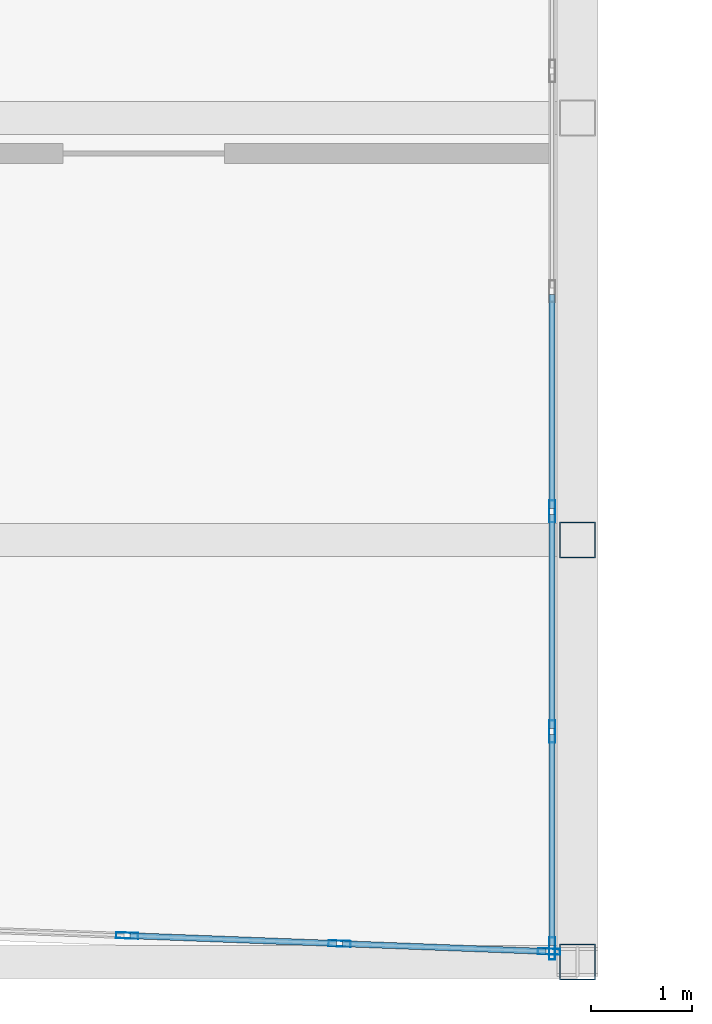
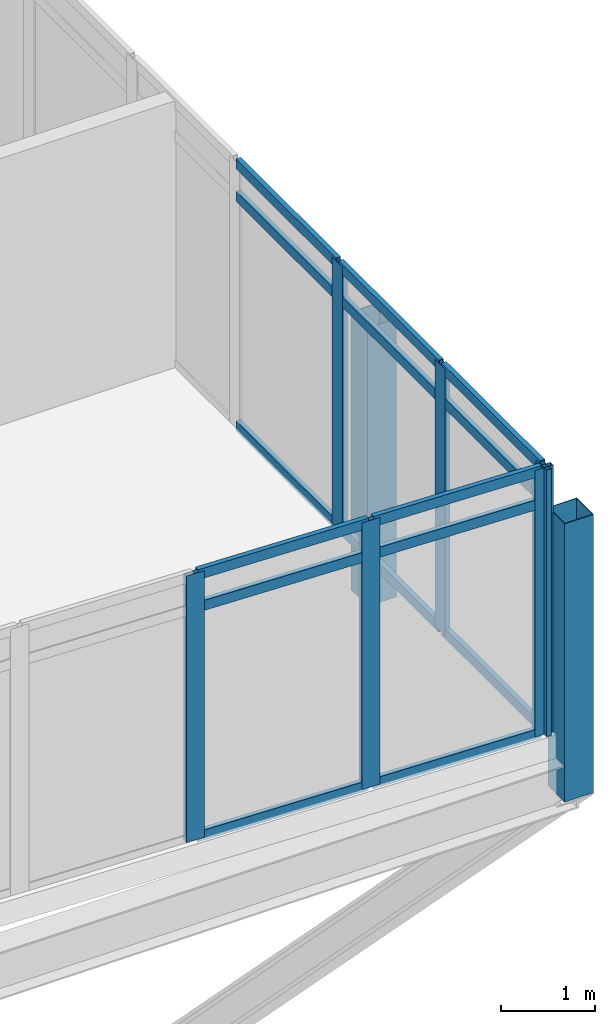
# One storey, part 8 of 34: 23 members, 2 elements without a shape of their own.
"""IFC4 building model written with IfcOpenShell, lengths in metres."""

from ifc_helpers import new_model, si_unit, direction, frame, origin, origin_2d, place, context, subcontext, project, spatial, hollow_rectangle, extrude, material, material_profile, profile_set, type_object, element, aggregate, save


model = new_model("IFC4")

# Units and contexts
model_context = context("Model", 3, precision=1e-05, world=origin(), true_north=direction((0.0, 1.0)))
body_context = subcontext(model_context, "Body", "Model", "MODEL_VIEW")
ifc_project = project(units=[si_unit("LENGTHUNIT", "METRE"), si_unit("AREAUNIT", "SQUARE_METRE"), si_unit("VOLUMEUNIT", "CUBIC_METRE"), si_unit("PLANEANGLEUNIT", "RADIAN"), si_unit("MASSUNIT", "GRAM", prefix="KILO")], contexts=[model_context])

# Site, building, storey
site_placement = place(None, origin())
site = spatial("IfcSite", under=ifc_project, at=site_placement, CompositionType="ELEMENT")
building_placement = place(site_placement, origin())
building = spatial("IfcBuilding", under=site, at=building_placement, Name="Ostrander Bayou Hotel Tower", CompositionType="ELEMENT")
storey_placement = place(building_placement, frame((0.0, 0.0, 222.0)))
storey = spatial("IfcBuildingStorey", under=building, at=storey_placement, Name="L55", CompositionType="ELEMENT", Elevation=222.0)

# Curtain wall, members
ifc_material_1 = material(Name="Aluminium and clear glass", Category="aluminium")
curtain_wall_type = type_object("IfcCurtainWallType", Name="CW-BAR glazed wall", PredefinedType="NOTDEFINED", material=ifc_material_1)
curtain_wall_1_placement = place(storey_placement, origin())
curtain_wall_1 = element("IfcCurtainWall", 1, at=curtain_wall_1_placement, inside=storey, type_object=curtain_wall_type, Name="CW-BAR L55:SB5S:T", PredefinedType="NOTDEFINED")
ifc_material_2 = material(Name="Aluminium", Category="aluminium")
ifc_material_profile_1 = material_profile(ifc_material_2, hollow_rectangle(XDim=0.06005859375, YDim=0.219970703125, WallThickness=0.00390625, at=origin_2d()))
ifc_profile_set_1 = profile_set([ifc_material_profile_1], Name="Aluminium")
member_type_1 = type_object("IfcMemberType", Name="CW-BR mullion 60 x 220 mm", PredefinedType="MULLION", material=ifc_profile_set_1)
member_1_placement = place(storey_placement, frame((6.307373046875, -29.23828125, 0.0), z_axis=(0.0, 0.0, 1.0), x_axis=(0.037757725854, 0.99928692283, 0.0)))
member_1 = element("IfcMember", 2, at=member_1_placement, type_object=member_type_1, Name="CW-BAR mullion 9", PredefinedType="MULLION", context=body_context, shape_type="SweptSolid", body=[
    extrude(hollow_rectangle(XDim=0.06005859375, YDim=0.219970703125, WallThickness=0.00390625, at=origin_2d()), origin(), (0.0, 0.0, 1.0), 3.449951171875),
])
member_2_placement = place(storey_placement, frame((8.40966796875, -29.31787109375, 0.0), z_axis=(0.0, 0.0, 1.0), x_axis=(0.037757725854, 0.99928692283, 0.0)))
member_2 = element("IfcMember", 3, at=member_2_placement, type_object=member_type_1, Name="CW-BAR mullion 10", PredefinedType="MULLION", context=body_context, shape_type="SweptSolid", body=[
    extrude(hollow_rectangle(XDim=0.06005859375, YDim=0.219970703125, WallThickness=0.00390625, at=origin_2d()), origin(), (0.0, 0.0, 1.0), 3.449951171875),
])
member_3_placement = place(storey_placement, frame((10.482177734375, -29.39599609375, 0.0), z_axis=(0.0, 0.0, 1.0), x_axis=(0.037757725854, 0.99928692283, 0.0)))
member_3 = element("IfcMember", 4, at=member_3_placement, type_object=member_type_1, Name="CW-BAR mullion 11", PredefinedType="MULLION", context=body_context, shape_type="SweptSolid", body=[
    extrude(hollow_rectangle(XDim=0.06005859375, YDim=0.219970703125, WallThickness=0.00390625, at=origin_2d()), origin(), (0.0, 0.0, 1.0), 3.449951171875),
])

curtain_wall_2_placement = place(storey_placement, origin())
curtain_wall_2 = element("IfcCurtainWall", 5, at=curtain_wall_2_placement, inside=storey, type_object=curtain_wall_type, Name="CW-BAR L55:SB5S:W", PredefinedType="NOTDEFINED")
member_4_placement = place(storey_placement, frame((10.51220703125, -25.04052734375, 0.0), z_axis=(0.0, 0.0, 1.0), x_axis=(1.0, 0.0, 0.0)))
member_4 = element("IfcMember", 6, at=member_4_placement, type_object=member_type_1, Name="CW-BAR mullion 8", PredefinedType="MULLION", context=body_context, shape_type="SweptSolid", body=[
    extrude(hollow_rectangle(XDim=0.06005859375, YDim=0.219970703125, WallThickness=0.00390625, at=origin_2d()), origin(), (0.0, 0.0, 1.0), 3.449951171875),
])
member_5_placement = place(storey_placement, frame((10.51220703125, -27.218994140625, 0.0), z_axis=(0.0, 0.0, 1.0), x_axis=(1.0, 0.0, 0.0)))
member_5 = element("IfcMember", 7, at=member_5_placement, type_object=member_type_1, Name="CW-BAR mullion 9", PredefinedType="MULLION", context=body_context, shape_type="SweptSolid", body=[
    extrude(hollow_rectangle(XDim=0.06005859375, YDim=0.219970703125, WallThickness=0.00390625, at=origin_2d()), origin(), (0.0, 0.0, 1.0), 3.449951171875),
])
member_6_placement = place(storey_placement, frame((10.51220703125, -29.3671875, 0.0), z_axis=(0.0, 0.0, 1.0), x_axis=(1.0, 0.0, 0.0)))
member_6 = element("IfcMember", 8, at=member_6_placement, type_object=member_type_1, Name="CW-BAR mullion 10", PredefinedType="MULLION", context=body_context, shape_type="SweptSolid", body=[
    extrude(hollow_rectangle(XDim=0.06005859375, YDim=0.219970703125, WallThickness=0.00390625, at=origin_2d()), origin(), (0.0, 0.0, 1.0), 3.449951171875),
])

# Member
ifc_material_3 = material(Name="Aluminium", Category="aluminium")
ifc_material_profile_2 = material_profile(ifc_material_3, hollow_rectangle(XDim=0.06005859375, YDim=0.1298828125, WallThickness=0.00390625, at=origin_2d()))
ifc_profile_set_2 = profile_set([ifc_material_profile_2], Name="Aluminium")
member_type_2 = type_object("IfcMemberType", Name="CW-BR transom 60 x 130 mm", PredefinedType="USERDEFINED", material=ifc_profile_set_2)
member_7_placement = place(storey_placement, frame((6.33740234375, -29.239501953125, 0.030029296875), z_axis=(0.999287402917, -0.037745017849, 0.0), x_axis=(0.037745017849, 0.999287402917, 0.0)))
member_7 = element("IfcMember", 9, at=member_7_placement, type_object=member_type_2, Name="CW-BAR transom 9.1", ObjectType="TRANSOM", PredefinedType="USERDEFINED", context=body_context, shape_type="SweptSolid", body=[
    extrude(hollow_rectangle(XDim=0.06005859375, YDim=0.1298828125, WallThickness=0.00390625, at=origin_2d()), origin(), (0.0, 0.0, 1.0), 2.0439453125),
])

member_8_placement = place(storey_placement, frame((6.33740234375, -29.239501953125, 3.0), z_axis=(0.999287402917, -0.037745017849, 0.0), x_axis=(0.037745017849, 0.999287402917, 0.0)))
member_8 = element("IfcMember", 10, at=member_8_placement, type_object=member_type_2, Name="CW-BAR transom 9.2", ObjectType="TRANSOM", PredefinedType="USERDEFINED", context=body_context, shape_type="SweptSolid", body=[
    extrude(hollow_rectangle(XDim=0.06005859375, YDim=0.1298828125, WallThickness=0.00390625, at=origin_2d()), origin(), (0.0, 0.0, 1.0), 2.0439453125),
])

member_9_placement = place(storey_placement, frame((6.33740234375, -29.239501953125, 3.419921875), z_axis=(0.999287402917, -0.037745017849, 0.0), x_axis=(0.037745017849, 0.999287402917, 0.0)))
member_9 = element("IfcMember", 11, at=member_9_placement, type_object=member_type_2, Name="CW-BAR transom 9.3", ObjectType="TRANSOM", PredefinedType="USERDEFINED", context=body_context, shape_type="SweptSolid", body=[
    extrude(hollow_rectangle(XDim=0.06005859375, YDim=0.1298828125, WallThickness=0.00390625, at=origin_2d()), origin(), (0.0, 0.0, 1.0), 2.0439453125),
])

member_10_placement = place(storey_placement, frame((8.439697265625, -29.31884765625, 0.030029296875), z_axis=(0.999284446259, -0.0378232133, 0.0), x_axis=(0.0378232133, 0.999284446259, 0.0)))
member_10 = element("IfcMember", 12, at=member_10_placement, type_object=member_type_2, Name="CW-BAR transom 10.1", ObjectType="TRANSOM", PredefinedType="USERDEFINED", context=body_context, shape_type="SweptSolid", body=[
    extrude(hollow_rectangle(XDim=0.06005859375, YDim=0.1298828125, WallThickness=0.00390625, at=origin_2d()), origin(), (0.0, 0.0, 1.0), 2.013916015625),
])

member_11_placement = place(storey_placement, frame((8.439697265625, -29.31884765625, 3.0), z_axis=(0.999284446259, -0.0378232133, 0.0), x_axis=(0.0378232133, 0.999284446259, 0.0)))
member_11 = element("IfcMember", 13, at=member_11_placement, type_object=member_type_2, Name="CW-BAR transom 10.2", ObjectType="TRANSOM", PredefinedType="USERDEFINED", context=body_context, shape_type="SweptSolid", body=[
    extrude(hollow_rectangle(XDim=0.06005859375, YDim=0.1298828125, WallThickness=0.00390625, at=origin_2d()), origin(), (0.0, 0.0, 1.0), 2.013916015625),
])

member_12_placement = place(storey_placement, frame((8.439697265625, -29.31884765625, 3.419921875), z_axis=(0.999284446259, -0.0378232133, 0.0), x_axis=(0.0378232133, 0.999284446259, 0.0)))
member_12 = element("IfcMember", 14, at=member_12_placement, type_object=member_type_2, Name="CW-BAR transom 10.3", ObjectType="TRANSOM", PredefinedType="USERDEFINED", context=body_context, shape_type="SweptSolid", body=[
    extrude(hollow_rectangle(XDim=0.06005859375, YDim=0.1298828125, WallThickness=0.00390625, at=origin_2d()), origin(), (0.0, 0.0, 1.0), 2.013916015625),
])

aggregate(curtain_wall_1, [member_1, member_2, member_3, member_7, member_8, member_9, member_10, member_11, member_12])

member_13_placement = place(storey_placement, frame((10.51220703125, -22.892333984375, 0.030029296875), z_axis=(0.0, -1.0, 0.0), x_axis=(1.0, 0.0, 0.0)))
member_13 = element("IfcMember", 15, at=member_13_placement, type_object=member_type_2, Name="CW-BAR transom 7.1", ObjectType="TRANSOM", PredefinedType="USERDEFINED", context=body_context, shape_type="SweptSolid", body=[
    extrude(hollow_rectangle(XDim=0.06005859375, YDim=0.1298828125, WallThickness=0.00390625, at=origin_2d()), origin(), (0.0, 0.0, 1.0), 2.1181640625),
])

member_14_placement = place(storey_placement, frame((10.51220703125, -22.892333984375, 3.0), z_axis=(0.0, -1.0, 0.0), x_axis=(1.0, 0.0, 0.0)))
member_14 = element("IfcMember", 16, at=member_14_placement, type_object=member_type_2, Name="CW-BAR transom 7.2", ObjectType="TRANSOM", PredefinedType="USERDEFINED", context=body_context, shape_type="SweptSolid", body=[
    extrude(hollow_rectangle(XDim=0.06005859375, YDim=0.1298828125, WallThickness=0.00390625, at=origin_2d()), origin(), (0.0, 0.0, 1.0), 2.1181640625),
])

member_15_placement = place(storey_placement, frame((10.51220703125, -22.892333984375, 3.419921875), z_axis=(0.0, -1.0, 0.0), x_axis=(1.0, 0.0, 0.0)))
member_15 = element("IfcMember", 17, at=member_15_placement, type_object=member_type_2, Name="CW-BAR transom 7.3", ObjectType="TRANSOM", PredefinedType="USERDEFINED", context=body_context, shape_type="SweptSolid", body=[
    extrude(hollow_rectangle(XDim=0.06005859375, YDim=0.1298828125, WallThickness=0.00390625, at=origin_2d()), origin(), (0.0, 0.0, 1.0), 2.1181640625),
])

member_16_placement = place(storey_placement, frame((10.51220703125, -25.070556640625, 0.030029296875), z_axis=(0.0, -1.0, 0.0), x_axis=(1.0, 0.0, 0.0)))
member_16 = element("IfcMember", 18, at=member_16_placement, type_object=member_type_2, Name="CW-BAR transom 8.1", ObjectType="TRANSOM", PredefinedType="USERDEFINED", context=body_context, shape_type="SweptSolid", body=[
    extrude(hollow_rectangle(XDim=0.06005859375, YDim=0.1298828125, WallThickness=0.00390625, at=origin_2d()), origin(), (0.0, 0.0, 1.0), 2.118408203125),
])

member_17_placement = place(storey_placement, frame((10.51220703125, -25.070556640625, 3.0), z_axis=(0.0, -1.0, 0.0), x_axis=(1.0, 0.0, 0.0)))
member_17 = element("IfcMember", 19, at=member_17_placement, type_object=member_type_2, Name="CW-BAR transom 8.2", ObjectType="TRANSOM", PredefinedType="USERDEFINED", context=body_context, shape_type="SweptSolid", body=[
    extrude(hollow_rectangle(XDim=0.06005859375, YDim=0.1298828125, WallThickness=0.00390625, at=origin_2d()), origin(), (0.0, 0.0, 1.0), 2.118408203125),
])

member_18_placement = place(storey_placement, frame((10.51220703125, -25.070556640625, 3.419921875), z_axis=(0.0, -1.0, 0.0), x_axis=(1.0, 0.0, 0.0)))
member_18 = element("IfcMember", 20, at=member_18_placement, type_object=member_type_2, Name="CW-BAR transom 8.3", ObjectType="TRANSOM", PredefinedType="USERDEFINED", context=body_context, shape_type="SweptSolid", body=[
    extrude(hollow_rectangle(XDim=0.06005859375, YDim=0.1298828125, WallThickness=0.00390625, at=origin_2d()), origin(), (0.0, 0.0, 1.0), 2.118408203125),
])

member_19_placement = place(storey_placement, frame((10.51220703125, -27.248779296875, 0.030029296875), z_axis=(0.0, -1.0, 0.0), x_axis=(1.0, 0.0, 0.0)))
member_19 = element("IfcMember", 21, at=member_19_placement, type_object=member_type_2, Name="CW-BAR transom 9.1", ObjectType="TRANSOM", PredefinedType="USERDEFINED", context=body_context, shape_type="SweptSolid", body=[
    extrude(hollow_rectangle(XDim=0.06005859375, YDim=0.1298828125, WallThickness=0.00390625, at=origin_2d()), origin(), (0.0, 0.0, 1.0), 2.08837890625),
])

member_20_placement = place(storey_placement, frame((10.51220703125, -27.248779296875, 3.0), z_axis=(0.0, -1.0, 0.0), x_axis=(1.0, 0.0, 0.0)))
member_20 = element("IfcMember", 22, at=member_20_placement, type_object=member_type_2, Name="CW-BAR transom 9.2", ObjectType="TRANSOM", PredefinedType="USERDEFINED", context=body_context, shape_type="SweptSolid", body=[
    extrude(hollow_rectangle(XDim=0.06005859375, YDim=0.1298828125, WallThickness=0.00390625, at=origin_2d()), origin(), (0.0, 0.0, 1.0), 2.08837890625),
])

member_21_placement = place(storey_placement, frame((10.51220703125, -27.248779296875, 3.419921875), z_axis=(0.0, -1.0, 0.0), x_axis=(1.0, 0.0, 0.0)))
member_21 = element("IfcMember", 23, at=member_21_placement, type_object=member_type_2, Name="CW-BAR transom 9.3", ObjectType="TRANSOM", PredefinedType="USERDEFINED", context=body_context, shape_type="SweptSolid", body=[
    extrude(hollow_rectangle(XDim=0.06005859375, YDim=0.1298828125, WallThickness=0.00390625, at=origin_2d()), origin(), (0.0, 0.0, 1.0), 2.08837890625),
])

aggregate(curtain_wall_2, [member_4, member_5, member_6, member_13, member_14, member_15, member_16, member_17, member_18, member_19, member_20, member_21])

# Members
ifc_material_4 = material(Name="Steel ASTM A500 Gr C", Category="steel")
ifc_material_profile_3 = material_profile(ifc_material_4, hollow_rectangle(XDim=0.355712890625, YDim=0.355712890625, WallThickness=0.0087890625, at=origin_2d()))
ifc_profile_set_3 = profile_set([ifc_material_profile_3], Name="Steel ASTM A500 Gr C")
member_type_3 = type_object("IfcMemberType", Name="TH3 bar hanger HSS14x14x3/8", PredefinedType="POST", material=ifc_profile_set_3)
for number, where, z_axis, x_axis, name in (
    (24, (10.764892578125, -25.32373046875, -0.760986328125), (0.0, 0.0, 1.0), (1.0, 0.0, 0.0), "TH3 SB5SB H2-1"),
    (25, (10.764892578125, -29.5, -0.760986328125), (0.0, 0.0, 1.0), (1.0, 0.0, 0.0), "TH3 SB5SB H3-1"),
):
    element("IfcMember", number, at=place(storey_placement, frame(where, z_axis=z_axis, x_axis=x_axis)), inside=storey, type_object=member_type_3, Name=name, PredefinedType="POST", context=body_context, shape_type="SweptSolid", body=[
        extrude(hollow_rectangle(XDim=0.355712890625, YDim=0.355712890625, WallThickness=0.0087890625, at=origin_2d()), origin(), (0.0, 0.0, 1.0), 3.599853515625),
    ])

save(model, "model.ifc")
